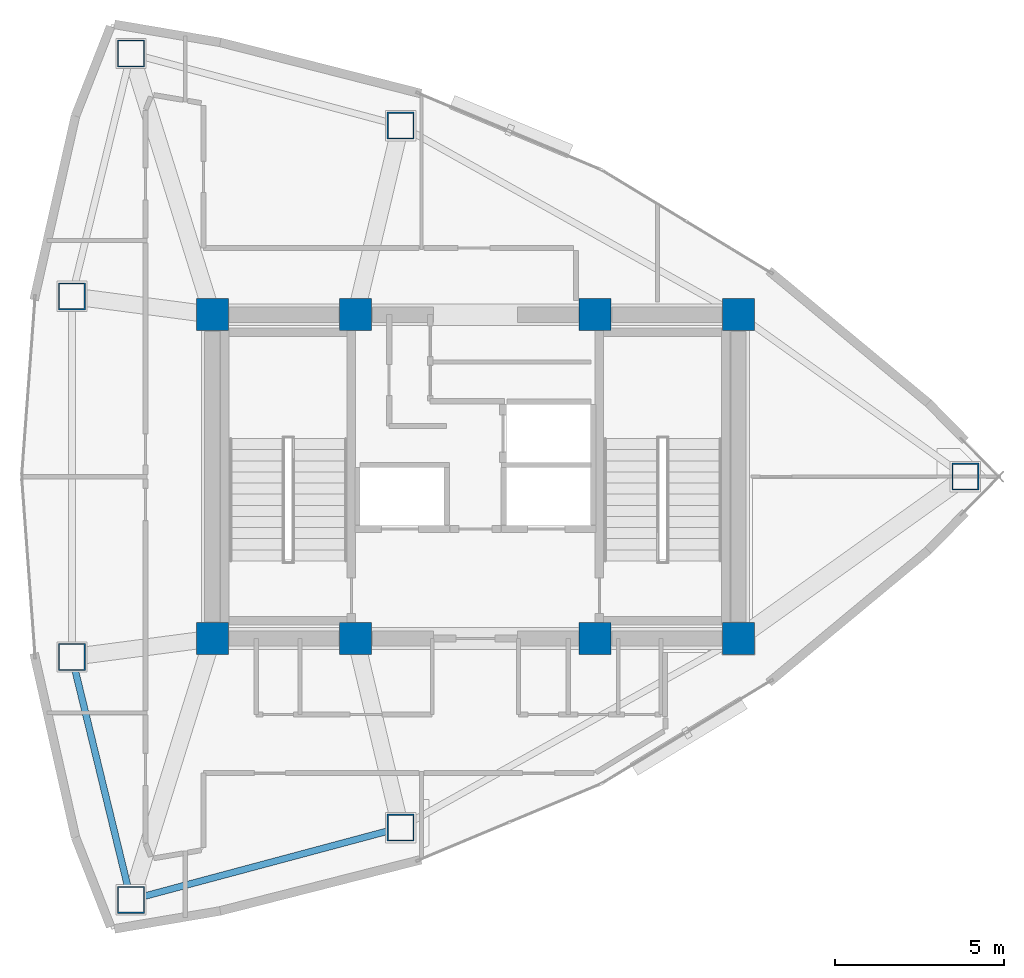
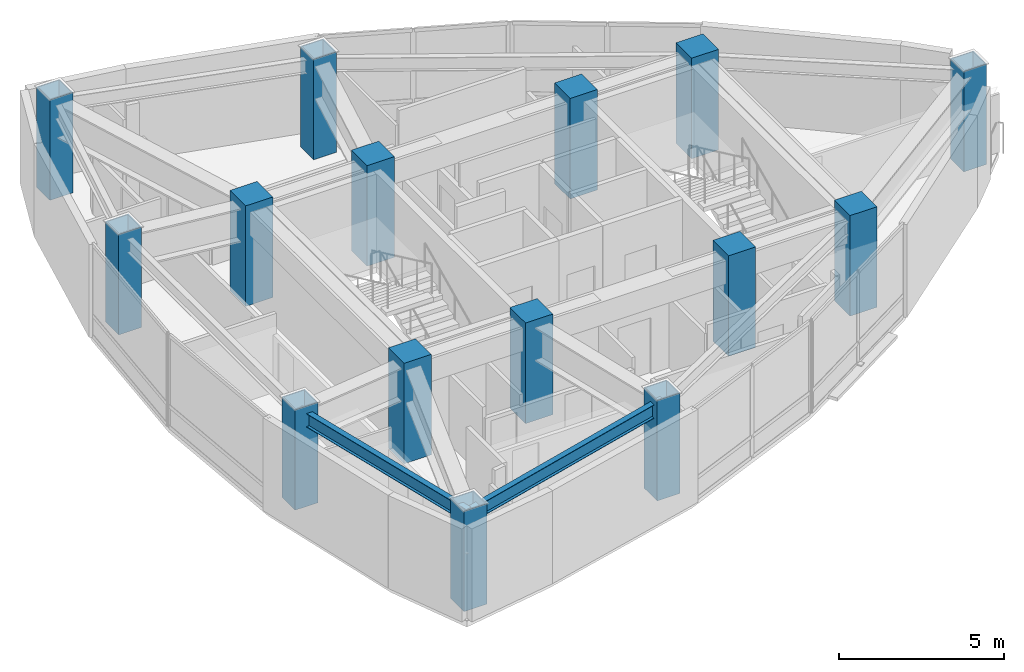
# One storey, part 1 of 15: 15 columns, 2 beams.
"""IFC4 building model written with IfcOpenShell, lengths in metres."""

from ifc_helpers import new_model, si_unit, direction, frame, origin, origin_2d, place, context, subcontext, project, spatial, rectangle, hollow_rectangle, i_section, extrude, material, material_profile, profile_set, type_object, element, save


model = new_model("IFC4")

# Units and contexts
model_context = context("Model", 3, precision=1e-05, world=origin(), true_north=direction((0.0, 1.0)))
body_context = subcontext(model_context, "Body", "Model", "MODEL_VIEW")
ifc_project = project(units=[si_unit("LENGTHUNIT", "METRE"), si_unit("AREAUNIT", "SQUARE_METRE"), si_unit("VOLUMEUNIT", "CUBIC_METRE"), si_unit("PLANEANGLEUNIT", "RADIAN"), si_unit("MASSUNIT", "GRAM", prefix="KILO")], contexts=[model_context])

# Site, building, storey
site_placement = place(None, origin())
site = spatial("IfcSite", under=ifc_project, at=site_placement, CompositionType="ELEMENT")
building_placement = place(site_placement, origin())
building = spatial("IfcBuilding", under=site, at=building_placement, Name="Menara Vayukalpa", CompositionType="ELEMENT")
storey_placement = place(building_placement, frame((0.0, 0.0, 295.5)))
storey = spatial("IfcBuildingStorey", under=building, at=storey_placement, Name="L75", CompositionType="ELEMENT", Elevation=295.5)

# Columns
ifc_material_1 = material(Name="Concrete C60/75", Category="concrete")
ifc_material_profile_1 = material_profile(ifc_material_1, rectangle(XDim=0.949951171875, YDim=0.949951171875, at=origin_2d()), Name="RC 950x950")
ifc_profile_set_1 = profile_set([ifc_material_profile_1], Name="Concrete C60/75")
column_type_1 = type_object("IfcColumnType", Name="COL-CC2", PredefinedType="COLUMN", material=ifc_profile_set_1)
for number, where, z_axis, x_axis, name in (
    (1, (17.800048828125, 17.199951171875, 0.0), (0.0, 0.0, 1.0), (1.0, 0.0, 0.0), "L75 Core Pilaster Column CC1"),
    (2, (22.050048828125, 17.199951171875, 0.0), (0.0, 0.0, 1.0), (1.0, 0.0, 0.0), "L75 Core Pilaster Column CC2"),
    (3, (29.14990234375, 17.199951171875, 0.0), (0.0, 0.0, 1.0), (1.0, 0.0, 0.0), "L75 Core Pilaster Column CC3"),
    (4, (33.39990234375, 17.199951171875, 0.0), (0.0, 0.0, 1.0), (1.0, 0.0, 0.0), "L75 Core Pilaster Column CC4"),
    (5, (17.800048828125, 26.800048828125, 0.0), (0.0, 0.0, 1.0), (1.0, 0.0, 0.0), "L75 Core Pilaster Column CC5"),
    (6, (22.050048828125, 26.800048828125, 0.0), (0.0, 0.0, 1.0), (1.0, 0.0, 0.0), "L75 Core Pilaster Column CC6"),
    (7, (29.14990234375, 26.800048828125, 0.0), (0.0, 0.0, 1.0), (1.0, 0.0, 0.0), "L75 Core Pilaster Column CC7"),
    (8, (33.39990234375, 26.800048828125, 0.0), (0.0, 0.0, 1.0), (1.0, 0.0, 0.0), "L75 Core Pilaster Column CC8"),
):
    element("IfcColumn", number, at=place(storey_placement, frame(where, z_axis=z_axis, x_axis=x_axis)), inside=storey, type_object=column_type_1, Name=name, PredefinedType="COLUMN", context=body_context, shape_type="SweptSolid", body=[
        extrude(rectangle(XDim=0.949951171875, YDim=0.949951171875, at=origin_2d()), origin(), (0.0, 0.0, 1.0), 3.719970703125),
    ])
ifc_material_2 = material(Name="Steel S355", Category="steel")
ifc_material_profile_2 = material_profile(ifc_material_2, hollow_rectangle(XDim=0.800048828125, YDim=0.800048828125, WallThickness=0.034912109375, at=origin_2d()), Name="BOX 800x800x35")
ifc_profile_set_2 = profile_set([ifc_material_profile_2], Name="Steel S355")
column_type_2 = type_object("IfcColumnType", Name="COL-MC5", PredefinedType="COLUMN", material=ifc_profile_set_2)
for number, where, z_axis, x_axis, name in (
    (9, (40.121826171875, 22.0, 0.0), (0.0, 0.0, 1.0), (1.0, 0.0, 0.0), "L75 Perimeter Mega Column P01"),
    (10, (23.3818359375, 32.40478515625, 0.0), (0.0, 0.0, 1.0), (1.0, 0.0, 0.0), "L75 Perimeter Mega Column P03"),
    (11, (15.38916015625, 34.544677734375, 0.0), (0.0, 0.0, 1.0), (1.0, 0.0, 0.0), "L75 Perimeter Mega Column P04"),
    (12, (13.638916015625, 27.3466796875, 0.0), (0.0, 0.0, 1.0), (1.0, 0.0, 0.0), "L75 Perimeter Mega Column P05"),
    (13, (13.638916015625, 16.6533203125, 0.0), (0.0, 0.0, 1.0), (1.0, 0.0, 0.0), "L75 Perimeter Mega Column P06"),
    (14, (15.38916015625, 9.455322265625, 0.0), (0.0, 0.0, 1.0), (1.0, 0.0, 0.0), "L75 Perimeter Mega Column P07"),
    (15, (23.3818359375, 11.59521484375, 0.0), (0.0, 0.0, 1.0), (1.0, 0.0, 0.0), "L75 Perimeter Mega Column P08"),
):
    element("IfcColumn", number, at=place(storey_placement, frame(where, z_axis=z_axis, x_axis=x_axis)), inside=storey, type_object=column_type_2, Name=name, PredefinedType="COLUMN", context=body_context, shape_type="SweptSolid", body=[
        extrude(hollow_rectangle(XDim=0.800048828125, YDim=0.800048828125, WallThickness=0.034912109375, at=origin_2d()), origin(), (0.0, 0.0, 1.0), 3.719970703125),
    ])

# Beams
ifc_material_3 = material(Name="Steel S355", Category="steel")
ifc_material_profile_3 = material_profile(ifc_material_3, i_section(OverallWidth=0.199951171875, OverallDepth=0.5, WebThickness=0.010009765625, FlangeThickness=0.01611328125, at=origin_2d()), Name="WF 500x200x10x16")
ifc_profile_set_3 = profile_set([ifc_material_profile_3], Name="Steel S355")
beam_type = type_object("IfcBeamType", Name="BM-SP3", PredefinedType="SPANDREL", material=ifc_profile_set_3)
beam_1_placement = place(storey_placement, frame((13.638916015625, 16.6533203125, 3.18994140625), z_axis=(0.236272525754, -0.97168682896, 0.0), x_axis=(0.97168682896, 0.236272525754, 0.0)))
element("IfcBeam", 16, at=beam_1_placement, inside=storey, type_object=beam_type, Name="L75 Perimeter Spandrel Beam SP06", PredefinedType="SPANDREL", context=body_context, shape_type="SweptSolid", body=[
    extrude(i_section(OverallWidth=0.199951171875, OverallDepth=0.5, WebThickness=0.010009765625, FlangeThickness=0.01611328125, at=origin_2d()), origin(), (0.0, 0.0, 1.0), 7.40771484375),
])
beam_2_placement = place(storey_placement, frame((15.38916015625, 9.455322265625, 3.18994140625), z_axis=(0.965978332552, 0.258623009494, 0.0), x_axis=(-0.258623009494, 0.965978332552, 0.0)))
element("IfcBeam", 17, at=beam_2_placement, inside=storey, type_object=beam_type, Name="L75 Perimeter Spandrel Beam SP07", PredefinedType="SPANDREL", context=body_context, shape_type="SweptSolid", body=[
    extrude(i_section(OverallWidth=0.199951171875, OverallDepth=0.5, WebThickness=0.010009765625, FlangeThickness=0.01611328125, at=origin_2d()), origin(), (0.0, 0.0, 1.0), 8.274169921875),
])

save(model, "model.ifc")
